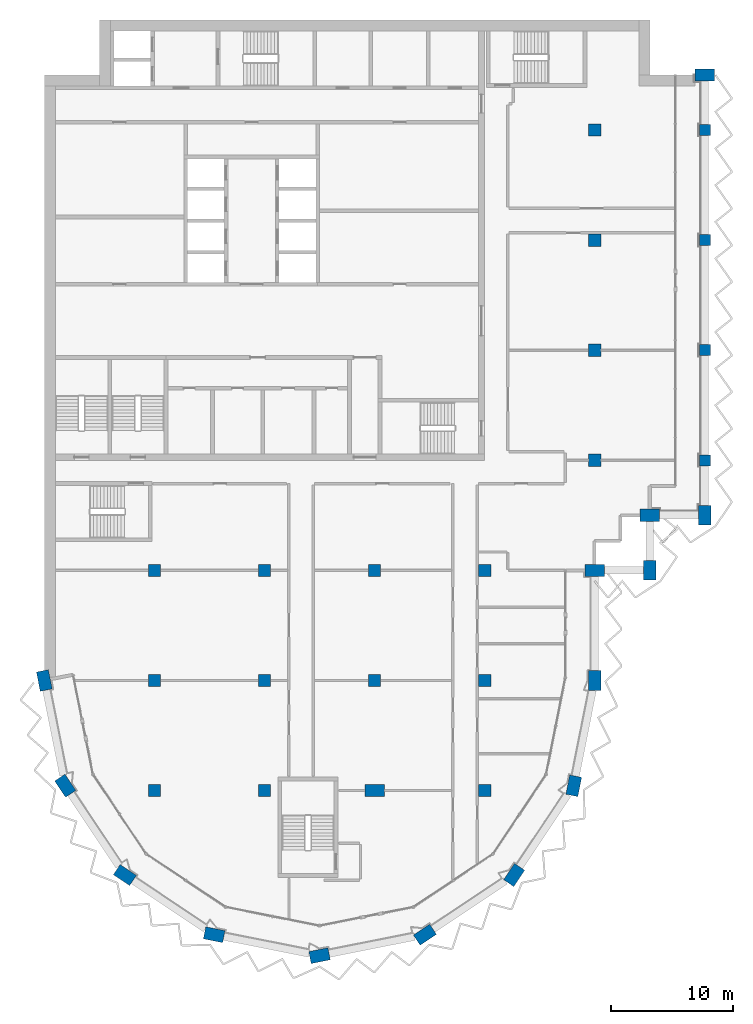
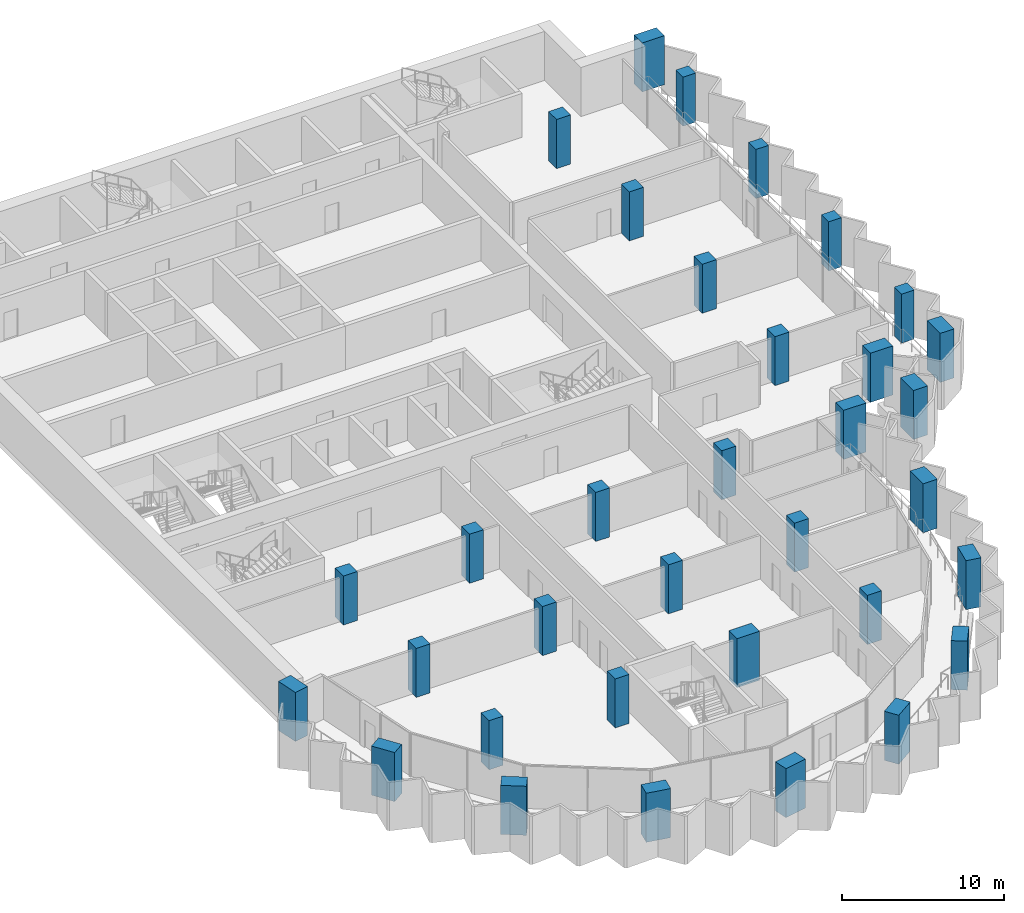
# One storey, part 1 of 16: 34 columns.
"""IFC4 building model written with IfcOpenShell, lengths in metres."""

from ifc_helpers import new_model, si_unit, direction, frame, origin, origin_2d, place, context, subcontext, project, spatial, rectangle, extrude, material, material_profile, profile_set, type_object, element, save


model = new_model("IFC4")

# Units and contexts
model_context = context("Model", 3, precision=1e-05, world=origin(), true_north=direction((0.0, 1.0)))
body_context = subcontext(model_context, "Body", "Model", "MODEL_VIEW")
ifc_project = project(units=[si_unit("LENGTHUNIT", "METRE"), si_unit("AREAUNIT", "SQUARE_METRE"), si_unit("VOLUMEUNIT", "CUBIC_METRE"), si_unit("PLANEANGLEUNIT", "RADIAN"), si_unit("MASSUNIT", "GRAM", prefix="KILO")], contexts=[model_context])

# Site, building, storey
site_placement = place(None, origin())
site = spatial("IfcSite", under=ifc_project, at=site_placement, CompositionType="ELEMENT")
building_placement = place(site_placement, origin())
building = spatial("IfcBuilding", under=site, at=building_placement, Name="Hunhe Ridgeline Campus", CompositionType="ELEMENT")
storey_placement = place(building_placement, frame((0.0, 0.0, 257.699951171875)))
storey = spatial("IfcBuildingStorey", under=building, at=storey_placement, Name="L66", CompositionType="ELEMENT", Elevation=257.699951171875)

# Columns
ifc_material = material(Name="Concrete C60", Category="concrete")
ifc_material_profile_1 = material_profile(ifc_material, rectangle(XDim=1.60009765625, YDim=1.0, at=origin_2d()))
ifc_profile_set_1 = profile_set([ifc_material_profile_1], Name="Concrete C60")
column_type_1 = type_object("IfcColumnType", Name="Megacolumn 1600x1000 Concrete C60", PredefinedType="COLUMN", material=ifc_profile_set_1)
for number, where, z_axis, x_axis, name in (
    (1, (22.5, 22.5, 0.0), (0.0, 0.0, 1.0), (0.980785280403, 0.195090322016, 0.0), "Column C14 R13 L66"),
    (2, (13.8896484375, 24.212646484375, 0.0), (0.0, 0.0, 1.0), (-0.980785280403, 0.195090322016, 0.0), "Column C14 R14 L66"),
    (3, (31.1103515625, 24.212646484375, 0.0), (0.0, 0.0, 1.0), (0.831469612303, 0.55557023302, 0.0), "Column C14 R15 L66"),
    (4, (6.590087890625, 29.090087890625, 0.0), (0.0, 0.0, 1.0), (-0.831469612303, 0.55557023302, 0.0), "Column C14 R18 L66"),
    (5, (38.409912109375, 29.090087890625, 0.0), (0.0, 0.0, 1.0), (0.55557023302, 0.831469612303, 0.0), "Column C14 R19 L66"),
    (6, (1.712646484375, 36.3896484375, 0.0), (0.0, 0.0, 1.0), (-0.55557023302, 0.831469612303, 0.0), "Column C14 R23 L66"),
    (7, (43.287353515625, 36.3896484375, 0.0), (0.0, 0.0, 1.0), (0.195090322016, 0.980785280403, 0.0), "Column C14 R24 L66"),
    (8, (0.0, 45.0, 0.0), (0.0, 0.0, 1.0), (-0.195090322016, 0.980785280403, 0.0), "Column C14 F1 L66"),
    (9, (45.0, 45.0, 0.0), (0.0, 0.0, 1.0), (0.0, 1.0, 0.0), "Column C14 F6 L66"),
    (10, (45.0, 54.0, 0.0), (0.0, 0.0, 1.0), (1.0, 0.0, 0.0), "Column C14 G6 L66"),
    (11, (49.5, 54.0, 0.0), (0.0, 0.0, 1.0), (0.0, 1.0, 0.0), "Column C14 R29 L66"),
    (12, (49.5, 58.5, 0.0), (0.0, 0.0, 1.0), (1.0, 0.0, 0.0), "Column C14 R33 L66"),
    (13, (54.0, 58.5, 0.0), (0.0, 0.0, 1.0), (0.0, 1.0, 0.0), "Column C14 R34 L66"),
    (14, (54.0, 94.5, 0.0), (0.0, 0.0, 1.0), (1.0, 0.0, 0.0), "Column C14 R41 L66"),
    (15, (27.0, 36.0, 0.0), (0.0, 0.0, 1.0), (1.0, 0.0, 0.0), "Column C14 E4 L66"),
):
    element("IfcColumn", number, at=place(storey_placement, frame(where, z_axis=z_axis, x_axis=x_axis)), inside=storey, type_object=column_type_1, Name=name, PredefinedType="COLUMN", context=body_context, shape_type="SweptSolid", body=[
        extrude(rectangle(XDim=1.60009765625, YDim=1.0, at=origin_2d()), origin(), (0.0, 0.0, 1.0), 3.699951171875),
    ])
ifc_material_profile_2 = material_profile(ifc_material, rectangle(XDim=1.0, YDim=1.0, at=origin_2d()))
ifc_profile_set_2 = profile_set([ifc_material_profile_2], Name="Concrete C60")
column_type_2 = type_object("IfcColumnType", Name="RC column 1000x1000 Concrete C60", PredefinedType="COLUMN", material=ifc_profile_set_2)
for number, where, z_axis, x_axis, name in (
    (16, (9.0, 36.0, 0.0), (0.0, 0.0, 1.0), (1.0, 0.0, 0.0), "Column C12 E2 L66"),
    (17, (9.0, 45.0, 0.0), (0.0, 0.0, 1.0), (1.0, 0.0, 0.0), "Column C12 F2 L66"),
    (18, (9.0, 54.0, 0.0), (0.0, 0.0, 1.0), (1.0, 0.0, 0.0), "Column C12 G2 L66"),
    (19, (18.0, 36.0, 0.0), (0.0, 0.0, 1.0), (1.0, 0.0, 0.0), "Column C12 E3 L66"),
    (20, (18.0, 45.0, 0.0), (0.0, 0.0, 1.0), (1.0, 0.0, 0.0), "Column C12 F3 L66"),
    (21, (18.0, 54.0, 0.0), (0.0, 0.0, 1.0), (1.0, 0.0, 0.0), "Column C12 G3 L66"),
    (22, (27.0, 45.0, 0.0), (0.0, 0.0, 1.0), (1.0, 0.0, 0.0), "Column C12 F4 L66"),
    (23, (27.0, 54.0, 0.0), (0.0, 0.0, 1.0), (1.0, 0.0, 0.0), "Column C12 G4 L66"),
    (24, (36.0, 36.0, 0.0), (0.0, 0.0, 1.0), (1.0, 0.0, 0.0), "Column C12 E5 L66"),
    (25, (36.0, 45.0, 0.0), (0.0, 0.0, 1.0), (1.0, 0.0, 0.0), "Column C12 F5 L66"),
    (26, (36.0, 54.0, 0.0), (0.0, 0.0, 1.0), (1.0, 0.0, 0.0), "Column C12 G5 L66"),
    (27, (45.0, 63.0, 0.0), (0.0, 0.0, 1.0), (1.0, 0.0, 0.0), "Column C12 H6 L66"),
    (28, (45.0, 72.0, 0.0), (0.0, 0.0, 1.0), (1.0, 0.0, 0.0), "Column C12 I6 L66"),
    (29, (45.0, 81.0, 0.0), (0.0, 0.0, 1.0), (1.0, 0.0, 0.0), "Column C12 J6 L66"),
    (30, (45.0, 90.0, 0.0), (0.0, 0.0, 1.0), (1.0, 0.0, 0.0), "Column C12 K6 L66"),
):
    element("IfcColumn", number, at=place(storey_placement, frame(where, z_axis=z_axis, x_axis=x_axis)), inside=storey, type_object=column_type_2, Name=name, PredefinedType="COLUMN", context=body_context, shape_type="SweptSolid", body=[
        extrude(rectangle(XDim=1.0, YDim=1.0, at=origin_2d()), origin(), (0.0, 0.0, 1.0), 3.699951171875),
    ])
ifc_material_profile_3 = material_profile(ifc_material, rectangle(XDim=0.89990234375, YDim=0.89990234375, at=origin_2d()))
ifc_profile_set_3 = profile_set([ifc_material_profile_3], Name="Concrete C60")
column_type_3 = type_object("IfcColumnType", Name="RC column 900x900 Concrete C60", PredefinedType="COLUMN", material=ifc_profile_set_3)
for number, where, z_axis, x_axis, name in (
    (31, (54.0, 63.0, 0.0), (0.0, 0.0, 1.0), (1.0, 0.0, 0.0), "Column C15 H7 L66"),
    (32, (54.0, 72.0, 0.0), (0.0, 0.0, 1.0), (1.0, 0.0, 0.0), "Column C15 I7 L66"),
    (33, (54.0, 81.0, 0.0), (0.0, 0.0, 1.0), (1.0, 0.0, 0.0), "Column C15 J7 L66"),
    (34, (54.0, 90.0, 0.0), (0.0, 0.0, 1.0), (1.0, 0.0, 0.0), "Column C15 K7 L66"),
):
    element("IfcColumn", number, at=place(storey_placement, frame(where, z_axis=z_axis, x_axis=x_axis)), inside=storey, type_object=column_type_3, Name=name, PredefinedType="COLUMN", context=body_context, shape_type="SweptSolid", body=[
        extrude(rectangle(XDim=0.89990234375, YDim=0.89990234375, at=origin_2d()), origin(), (0.0, 0.0, 1.0), 3.699951171875),
    ])

save(model, "model.ifc")
